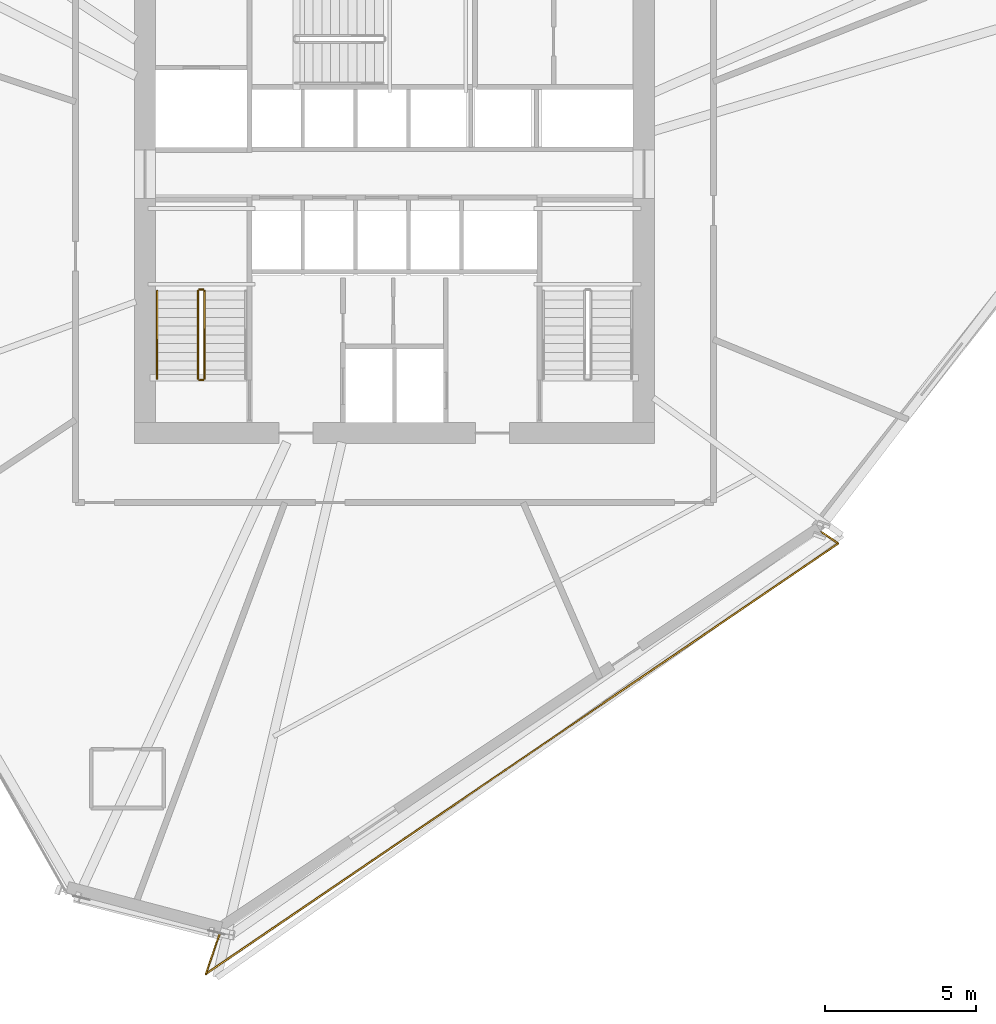
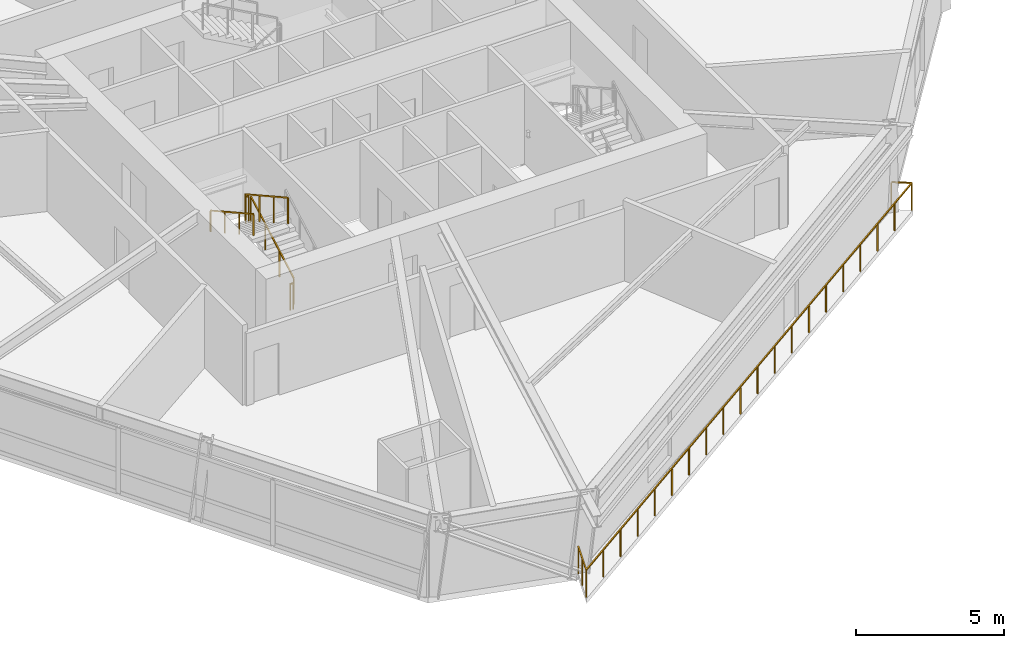
# One storey, part 15 of 18: 6 railings.
"""IFC4 building model written with IfcOpenShell, lengths in metres."""

from ifc_helpers import new_model, si_unit, direction, frame, origin, origin_2d, place, context, subcontext, project, spatial, rectangle, extrude, material, type_object, element, save


model = new_model("IFC4")

# Units and contexts
model_context = context("Model", 3, precision=1e-05, world=origin(), true_north=direction((0.0, 1.0)))
body_context = subcontext(model_context, "Body", "Model", "MODEL_VIEW")
ifc_project = project(units=[si_unit("LENGTHUNIT", "METRE"), si_unit("AREAUNIT", "SQUARE_METRE"), si_unit("VOLUMEUNIT", "CUBIC_METRE"), si_unit("PLANEANGLEUNIT", "RADIAN"), si_unit("MASSUNIT", "GRAM", prefix="KILO")], contexts=[model_context])

# Site, building, storey
site_placement = place(None, origin())
site = spatial("IfcSite", under=ifc_project, at=site_placement, CompositionType="ELEMENT")
building_placement = place(site_placement, origin())
building = spatial("IfcBuilding", under=site, at=building_placement, Name="Olszyna Solenne Hotel", CompositionType="ELEMENT")
storey_placement = place(building_placement, frame((0.0, 0.0, 112.800048828125)))
storey = spatial("IfcBuildingStorey", under=building, at=storey_placement, Name="L29", CompositionType="ELEMENT", Elevation=112.800048828125)

# Railings
ifc_material_1 = material(Name="Anodised bronze aluminium", Category="aluminium")
railing_type_1 = type_object("IfcRailingType", Name="GR-110", PredefinedType="BALUSTRADE", material=ifc_material_1)
railing_1_placement = place(storey_placement, frame((32.222412109375, 2.599609375, 0.0)))
element("IfcRailing", 1, at=railing_1_placement, inside=storey, type_object=railing_type_1, Name="Loggia balcony balustrade guard GR-L29-LG3", PredefinedType="BALUSTRADE", context=body_context, shape_type="SweptSolid", body=[
    extrude(rectangle(XDim=0.048095703125, YDim=0.048095703125, at=origin_2d()), frame((0.0, 0.0, 1.1259765625), z_axis=(-0.324579507426, -0.945858416127, 0.0), x_axis=(0.945858416127, -0.324579507426, 0.0)), (0.0, 0.0, 1.0), 1.418701171875),
    extrude(rectangle(XDim=0.048095703125, YDim=0.048095703125, at=origin_2d()), frame((-0.46044921875, -1.341796875, 1.1259765625), z_axis=(0.826603353915, 0.562784945868, 0.0), x_axis=(-0.562784945868, 0.826603353915, 0.0)), (0.0, 0.0, 1.0), 25.304443359375),
    extrude(rectangle(XDim=0.048095703125, YDim=0.048095703125, at=origin_2d()), frame((20.456298828125, 12.899169921875, 1.1259765625), z_axis=(-0.823680278631, 0.567054493497, 0.0), x_axis=(-0.567054493497, -0.823680278631, 0.0)), (0.0, 0.0, 1.0), 0.689697265625),
    extrude(rectangle(XDim=0.0419921875, YDim=0.0419921875, at=origin_2d()), origin(), (0.0, 0.0, 1.0), 1.101806640625),
    extrude(rectangle(XDim=0.0419921875, YDim=0.0419921875, at=origin_2d()), frame((-0.230224609375, -0.6708984375, 0.0)), (0.0, 0.0, 1.0), 1.101806640625),
    extrude(rectangle(XDim=0.0419921875, YDim=0.0419921875, at=origin_2d()), frame((-0.46044921875, -1.341796875, 0.0)), (0.0, 0.0, 1.0), 1.101806640625),
    extrude(rectangle(XDim=0.0419921875, YDim=0.0419921875, at=origin_2d()), frame((0.640380859375, -0.59228515625, 0.0)), (0.0, 0.0, 1.0), 1.101806640625),
    extrude(rectangle(XDim=0.0419921875, YDim=0.0419921875, at=origin_2d()), frame((1.7412109375, 0.1572265625, 0.0)), (0.0, 0.0, 1.0), 1.101806640625),
    extrude(rectangle(XDim=0.0419921875, YDim=0.0419921875, at=origin_2d()), frame((2.84228515625, 0.90673828125, 0.0)), (0.0, 0.0, 1.0), 1.101806640625),
    extrude(rectangle(XDim=0.0419921875, YDim=0.0419921875, at=origin_2d()), frame((3.943115234375, 1.65625, 0.0)), (0.0, 0.0, 1.0), 1.101806640625),
    extrude(rectangle(XDim=0.0419921875, YDim=0.0419921875, at=origin_2d()), frame((5.0439453125, 2.40576171875, 0.0)), (0.0, 0.0, 1.0), 1.101806640625),
    extrude(rectangle(XDim=0.0419921875, YDim=0.0419921875, at=origin_2d()), frame((6.144775390625, 3.1552734375, 0.0)), (0.0, 0.0, 1.0), 1.101806640625),
    extrude(rectangle(XDim=0.0419921875, YDim=0.0419921875, at=origin_2d()), frame((7.24560546875, 3.90478515625, 0.0)), (0.0, 0.0, 1.0), 1.101806640625),
    extrude(rectangle(XDim=0.0419921875, YDim=0.0419921875, at=origin_2d()), frame((8.3466796875, 4.654296875, 0.0)), (0.0, 0.0, 1.0), 1.101806640625),
    extrude(rectangle(XDim=0.0419921875, YDim=0.0419921875, at=origin_2d()), frame((9.447509765625, 5.40380859375, 0.0)), (0.0, 0.0, 1.0), 1.101806640625),
    extrude(rectangle(XDim=0.0419921875, YDim=0.0419921875, at=origin_2d()), frame((10.54833984375, 6.153564453125, 0.0)), (0.0, 0.0, 1.0), 1.101806640625),
    extrude(rectangle(XDim=0.0419921875, YDim=0.0419921875, at=origin_2d()), frame((11.649169921875, 6.903076171875, 0.0)), (0.0, 0.0, 1.0), 1.101806640625),
    extrude(rectangle(XDim=0.0419921875, YDim=0.0419921875, at=origin_2d()), frame((12.750244140625, 7.652587890625, 0.0)), (0.0, 0.0, 1.0), 1.101806640625),
    extrude(rectangle(XDim=0.0419921875, YDim=0.0419921875, at=origin_2d()), frame((13.85107421875, 8.402099609375, 0.0)), (0.0, 0.0, 1.0), 1.101806640625),
    extrude(rectangle(XDim=0.0419921875, YDim=0.0419921875, at=origin_2d()), frame((14.951904296875, 9.151611328125, 0.0)), (0.0, 0.0, 1.0), 1.101806640625),
    extrude(rectangle(XDim=0.0419921875, YDim=0.0419921875, at=origin_2d()), frame((16.052734375, 9.901123046875, 0.0)), (0.0, 0.0, 1.0), 1.101806640625),
    extrude(rectangle(XDim=0.0419921875, YDim=0.0419921875, at=origin_2d()), frame((17.153564453125, 10.650634765625, 0.0)), (0.0, 0.0, 1.0), 1.101806640625),
    extrude(rectangle(XDim=0.0419921875, YDim=0.0419921875, at=origin_2d()), frame((18.254638671875, 11.400146484375, 0.0)), (0.0, 0.0, 1.0), 1.101806640625),
    extrude(rectangle(XDim=0.0419921875, YDim=0.0419921875, at=origin_2d()), frame((19.35546875, 12.149658203125, 0.0)), (0.0, 0.0, 1.0), 1.101806640625),
    extrude(rectangle(XDim=0.0419921875, YDim=0.0419921875, at=origin_2d()), frame((20.456298828125, 12.899169921875, 0.0)), (0.0, 0.0, 1.0), 1.101806640625),
    extrude(rectangle(XDim=0.0419921875, YDim=0.0419921875, at=origin_2d()), frame((19.88818359375, 13.290283203125, 0.0)), (0.0, 0.0, 1.0), 1.101806640625),
])
railing_2_placement = place(storey_placement, frame((31.719970703125, 20.949951171875, 0.161376953125)))
element("IfcRailing", 2, at=railing_2_placement, inside=storey, type_object=railing_type_1, Name="L29 ST1 stair guard 1", PredefinedType="BALUSTRADE", context=body_context, shape_type="SweptSolid", body=[
    extrude(rectangle(XDim=0.048095703125, YDim=0.048095703125, at=origin_2d()), frame((0.0, 0.0, 1.076171875), z_axis=(0.0, 0.873858693841, 0.486179990537), x_axis=(-1.0, 0.0, 0.0)), (0.0, 0.0, 1.0), 3.31884765625),
    extrude(rectangle(XDim=0.0419921875, YDim=0.0419921875, at=origin_2d()), origin(), (0.0, 0.0, 1.0), 1.052001953125),
    extrude(rectangle(XDim=0.0419921875, YDim=0.0419921875, at=origin_2d()), frame((0.0, 0.966796875, 0.537841796875)), (0.0, 0.0, 1.0), 1.052001953125),
    extrude(rectangle(XDim=0.0419921875, YDim=0.0419921875, at=origin_2d()), frame((0.0, 1.933349609375, 1.07568359375)), (0.0, 0.0, 1.0), 1.052001953125),
    extrude(rectangle(XDim=0.0419921875, YDim=0.0419921875, at=origin_2d()), frame((0.0, 2.900146484375, 1.613525390625)), (0.0, 0.0, 1.0), 1.052001953125),
])
railing_3_placement = place(storey_placement, frame((31.669921875, 23.89990234375, 1.77490234375)))
element("IfcRailing", 3, at=railing_3_placement, inside=storey, type_object=railing_type_1, Name="L29 ST1 stair guard 2", PredefinedType="BALUSTRADE", context=body_context, shape_type="SweptSolid", body=[
    extrude(rectangle(XDim=0.048095703125, YDim=0.048095703125, at=origin_2d()), frame((0.0, 0.0, 1.076171875), z_axis=(-1.0, 0.0, 0.0), x_axis=(0.0, -1.0, 0.0)), (0.0, 0.0, 1.0), 0.119873046875),
    extrude(rectangle(XDim=0.0419921875, YDim=0.0419921875, at=origin_2d()), origin(), (0.0, 0.0, 1.0), 1.052001953125),
    extrude(rectangle(XDim=0.0419921875, YDim=0.0419921875, at=origin_2d()), frame((-0.119873046875, 0.0, 0.0)), (0.0, 0.0, 1.0), 1.052001953125),
])
railing_4_placement = place(storey_placement, frame((31.5, 23.85009765625, 1.936279296875)))
element("IfcRailing", 4, at=railing_4_placement, inside=storey, type_object=railing_type_1, Name="L29 ST1 stair guard 3", PredefinedType="BALUSTRADE", context=body_context, shape_type="SweptSolid", body=[
    extrude(rectangle(XDim=0.048095703125, YDim=0.048095703125, at=origin_2d()), frame((0.0, 0.0, 1.076171875), z_axis=(0.0, -0.873827439584, 0.48623616261), x_axis=(1.0, 0.0, 0.0)), (0.0, 0.0, 1.0), 3.31884765625),
    extrude(rectangle(XDim=0.0419921875, YDim=0.0419921875, at=origin_2d()), origin(), (0.0, 0.0, 1.0), 1.052001953125),
    extrude(rectangle(XDim=0.0419921875, YDim=0.0419921875, at=origin_2d()), frame((0.0, -0.966796875, 0.537841796875)), (0.0, 0.0, 1.0), 1.052001953125),
    extrude(rectangle(XDim=0.0419921875, YDim=0.0419921875, at=origin_2d()), frame((0.0, -1.933349609375, 1.075927734375)), (0.0, 0.0, 1.0), 1.052001953125),
    extrude(rectangle(XDim=0.0419921875, YDim=0.0419921875, at=origin_2d()), frame((0.0, -2.900146484375, 1.61376953125)), (0.0, 0.0, 1.0), 1.052001953125),
])
railing_5_placement = place(storey_placement, frame((31.669921875, 20.89990234375, 0.0)))
element("IfcRailing", 5, at=railing_5_placement, inside=storey, type_object=railing_type_1, Name="L29 ST1 stair guard 4", PredefinedType="BALUSTRADE", context=body_context, shape_type="SweptSolid", body=[
    extrude(rectangle(XDim=0.048095703125, YDim=0.048095703125, at=origin_2d()), frame((0.0, 0.0, 1.076171875), z_axis=(-1.0, 0.0, 0.0), x_axis=(0.0, -1.0, 0.0)), (0.0, 0.0, 1.0), 0.119873046875),
    extrude(rectangle(XDim=0.0419921875, YDim=0.0419921875, at=origin_2d()), origin(), (0.0, 0.0, 1.0), 1.052001953125),
    extrude(rectangle(XDim=0.0419921875, YDim=0.0419921875, at=origin_2d()), frame((-0.119873046875, 0.0, 0.0)), (0.0, 0.0, 1.0), 1.052001953125),
])
ifc_material_2 = material(Name="Steel S355J2", Category="steel")
railing_type_2 = type_object("IfcRailingType", Name="HR-090", PredefinedType="HANDRAIL", material=ifc_material_2)
railing_6_placement = place(storey_placement, frame((30.14990234375, 23.85009765625, 1.936279296875)))
element("IfcRailing", 6, at=railing_6_placement, inside=storey, type_object=railing_type_2, Name="L29 ST1 stair handrail 2", PredefinedType="HANDRAIL", context=body_context, shape_type="SweptSolid", body=[
    extrude(rectangle(XDim=0.048095703125, YDim=0.048095703125, at=origin_2d()), frame((0.0, 0.0, 0.8759765625), z_axis=(0.0, -0.873827439584, 0.48623616261), x_axis=(1.0, 0.0, 0.0)), (0.0, 0.0, 1.0), 3.31884765625),
    extrude(rectangle(XDim=0.0419921875, YDim=0.0419921875, at=origin_2d()), origin(), (0.0, 0.0, 1.0), 0.851806640625),
    extrude(rectangle(XDim=0.0419921875, YDim=0.0419921875, at=origin_2d()), frame((0.0, -0.966796875, 0.537841796875)), (0.0, 0.0, 1.0), 0.851806640625),
    extrude(rectangle(XDim=0.0419921875, YDim=0.0419921875, at=origin_2d()), frame((0.0, -1.933349609375, 1.075927734375)), (0.0, 0.0, 1.0), 0.851806640625),
    extrude(rectangle(XDim=0.0419921875, YDim=0.0419921875, at=origin_2d()), frame((0.0, -2.900146484375, 1.61376953125)), (0.0, 0.0, 1.0), 0.851806640625),
])

save(model, "model.ifc")
